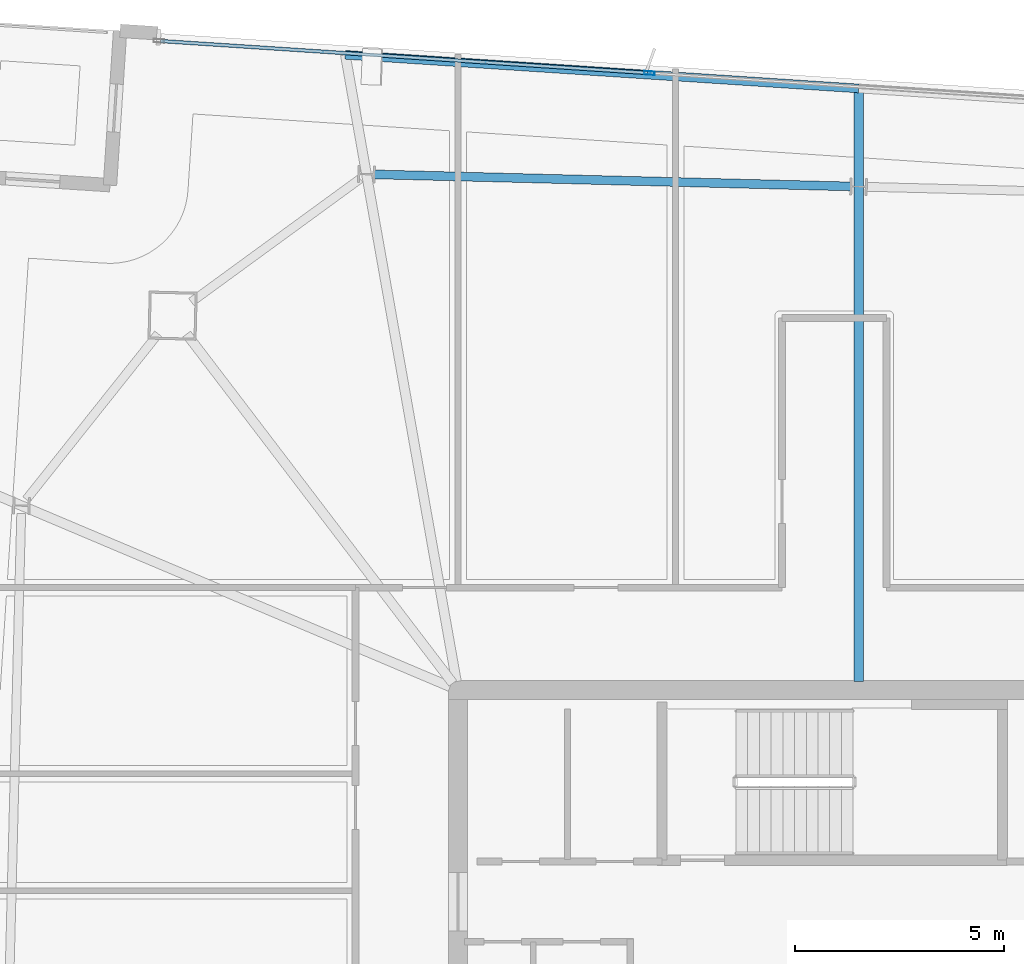
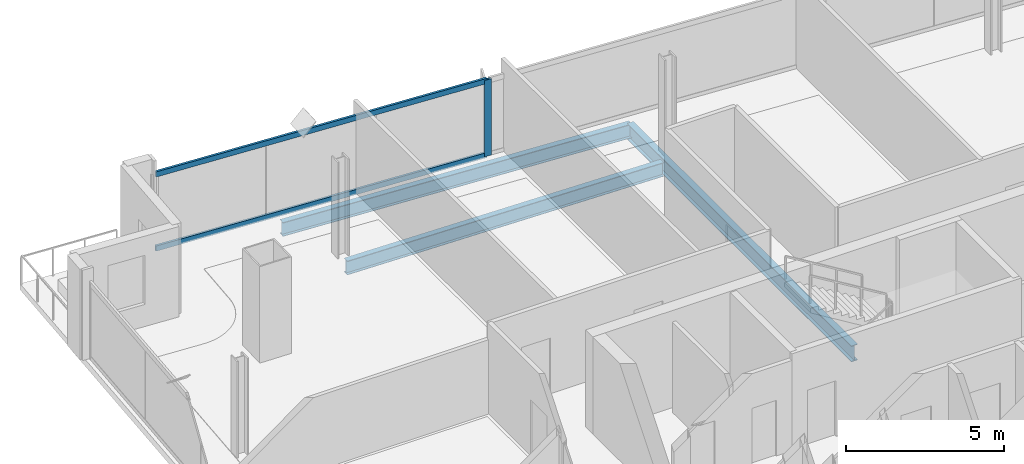
# One storey, part 13 of 24: 3 beams, 3 members, 1 element without a shape of its own.
"""IFC4 building model written with IfcOpenShell, lengths in metres."""

from ifc_helpers import new_model, si_unit, direction, frame, origin, origin_2d, place, context, subcontext, project, spatial, hollow_rectangle, i_section, extrude, material, material_profile, profile_set, type_object, element, aggregate, save


model = new_model("IFC4")

# Units and contexts
model_context = context("Model", 3, precision=1e-05, world=origin(), true_north=direction((0.0, 1.0)))
body_context = subcontext(model_context, "Body", "Model", "MODEL_VIEW")
ifc_project = project(units=[si_unit("LENGTHUNIT", "METRE"), si_unit("AREAUNIT", "SQUARE_METRE"), si_unit("VOLUMEUNIT", "CUBIC_METRE"), si_unit("PLANEANGLEUNIT", "RADIAN"), si_unit("MASSUNIT", "GRAM", prefix="KILO")], contexts=[model_context])

# Site, building, storey
site_placement = place(None, origin())
site = spatial("IfcSite", under=ifc_project, at=site_placement, CompositionType="ELEMENT")
building_placement = place(site_placement, origin())
building = spatial("IfcBuilding", under=site, at=building_placement, Name="Haldenkirk Collegiate Tower", CompositionType="ELEMENT")
storey_placement = place(building_placement, frame((0.0, 0.0, 317.699951171875)))
storey = spatial("IfcBuildingStorey", under=building, at=storey_placement, Name="L80", CompositionType="ELEMENT", Elevation=317.699951171875)

# Beams
ifc_material_1 = material(Name="Steel ASTM A992 Grade 50", Category="steel")
ifc_material_profile_1 = material_profile(ifc_material_1, i_section(OverallWidth=0.22998046875, OverallDepth=0.616943359375, WebThickness=0.01318359375, FlangeThickness=0.022216796875, at=origin_2d()), Name="W24X94")
ifc_profile_set_1 = profile_set([ifc_material_profile_1], Name="Steel ASTM A992 Grade 50")
beam_type_1 = type_object("IfcBeamType", Name="BM-GIRDER-W24X94", PredefinedType="BEAM", material=ifc_profile_set_1)
beam_1_placement = place(storey_placement, frame((36.582275390625, 48.389892578125, -0.568359375), z_axis=(0.0, -1.0, 0.0), x_axis=(1.0, 0.0, 0.0)))
element("IfcBeam", 1, at=beam_1_placement, inside=storey, type_object=beam_type_1, Name="L80 primary floor girder 09", PredefinedType="BEAM", context=body_context, shape_type="SweptSolid", body=[
    extrude(i_section(OverallWidth=0.22998046875, OverallDepth=0.616943359375, WebThickness=0.01318359375, FlangeThickness=0.022216796875, at=origin_2d()), origin(), (0.0, 0.0, 1.0), 14.184814453125),
])
ifc_material_profile_2 = material_profile(ifc_material_1, i_section(OverallWidth=0.2099609375, OverallDepth=0.537109375, WebThickness=0.010986328125, FlangeThickness=0.017333984375, at=origin_2d()), Name="W21X68")
ifc_profile_set_2 = profile_set([ifc_material_profile_2], Name="Steel ASTM A992 Grade 50")
beam_type_2 = type_object("IfcBeamType", Name="BM-SPANDREL-W21X68", PredefinedType="SPANDREL", material=ifc_profile_set_2)
beam_2_placement = place(storey_placement, frame((36.394287109375, 46.04638671875, -0.528564453125), z_axis=(-0.999680042221, 0.02529452876, 0.0), x_axis=(-0.02529452876, -0.999680042221, 0.0)))
element("IfcBeam", 2, at=beam_2_placement, inside=storey, type_object=beam_type_2, Name="L80 perimeter spandrel beam 07", PredefinedType="SPANDREL", context=body_context, shape_type="SweptSolid", body=[
    extrude(i_section(OverallWidth=0.2099609375, OverallDepth=0.537109375, WebThickness=0.010986328125, FlangeThickness=0.017333984375, at=origin_2d()), origin(), (0.0, 0.0, 1.0), 11.39892578125),
])
beam_3_placement = place(storey_placement, frame((36.582275390625, 48.389892578125, -0.528564453125), z_axis=(-0.99785907242, 0.065400853123, 0.0), x_axis=(-0.065400853123, -0.99785907242, 0.0)))
element("IfcBeam", 3, at=beam_3_placement, inside=storey, type_object=beam_type_2, Name="L80 outer facade edge beam 2B", PredefinedType="SPANDREL", context=body_context, shape_type="SweptSolid", body=[
    extrude(i_section(OverallWidth=0.2099609375, OverallDepth=0.537109375, WebThickness=0.010986328125, FlangeThickness=0.017333984375, at=origin_2d()), origin(), (0.0, 0.0, 1.0), 12.303955078125),
])

# Curtain wall, members
ifc_material_2 = material(Name="Anodised architectural bronze aluminium", Category="aluminium")
curtain_wall_type = type_object("IfcCurtainWallType", Name="CW-SYS1B-CONVEX-HI", PredefinedType="USERDEFINED", material=ifc_material_2)
curtain_wall_placement = place(storey_placement, origin())
curtain_wall = element("IfcCurtainWall", 4, at=curtain_wall_placement, inside=storey, type_object=curtain_wall_type, Name="L80 Upper tower high-wind convex bronze unitised curtain wall", ObjectType="UNITISED CURTAIN WALL", PredefinedType="USERDEFINED")
ifc_material_profile_3 = material_profile(ifc_material_2, hollow_rectangle(XDim=0.0849609375, YDim=0.25, WallThickness=0.0048828125, at=origin_2d()), Name="CW-MUL-1B")
ifc_profile_set_3 = profile_set([ifc_material_profile_3], Name="Anodised architectural bronze aluminium")
member_type_1 = type_object("IfcMemberType", Name="CW-MUL-1B", PredefinedType="MULLION", material=ifc_profile_set_3)
member_1_placement = place(storey_placement, frame((31.578857421875, 48.7578125, 0.0), z_axis=(0.0, 0.0, 1.0), x_axis=(0.065401149336, 0.997859053006, 0.0)))
member_1 = element("IfcMember", 5, at=member_1_placement, type_object=member_type_1, Name="CW-1B mullion 2", PredefinedType="MULLION", context=body_context, shape_type="SweptSolid", body=[
    extrude(hollow_rectangle(XDim=0.0849609375, YDim=0.25, WallThickness=0.0048828125, at=origin_2d()), origin(), (0.0, 0.0, 1.0), 2.947998046875),
])
ifc_material_profile_4 = material_profile(ifc_material_2, hollow_rectangle(XDim=0.0849609375, YDim=0.199951171875, WallThickness=0.0048828125, at=origin_2d()), Name="CW-TRN-1B")
ifc_profile_set_4 = profile_set([ifc_material_profile_4], Name="Anodised architectural bronze aluminium")
member_type_2 = type_object("IfcMemberType", Name="CW-TRN-1B", PredefinedType="USERDEFINED", material=ifc_profile_set_4)
member_2_placement = place(storey_placement, frame((19.888916015625, 49.52392578125, 0.04248046875), z_axis=(0.997860305867, -0.065382030982, 0.0), x_axis=(0.065382030982, 0.997860305867, 0.0)))
member_2 = element("IfcMember", 6, at=member_2_placement, type_object=member_type_2, Name="CW-1B transom 1.1", ObjectType="TRANSOM", PredefinedType="USERDEFINED", context=body_context, shape_type="SweptSolid", body=[
    extrude(hollow_rectangle(XDim=0.0849609375, YDim=0.199951171875, WallThickness=0.0048828125, at=origin_2d()), origin(), (0.0, 0.0, 1.0), 11.672607421875),
])
member_3_placement = place(storey_placement, frame((19.888916015625, 49.52392578125, 2.905517578125), z_axis=(0.997860305867, -0.065382030982, 0.0), x_axis=(0.065382030982, 0.997860305867, 0.0)))
member_3 = element("IfcMember", 7, at=member_3_placement, type_object=member_type_2, Name="CW-1B transom 1.2", ObjectType="TRANSOM", PredefinedType="USERDEFINED", context=body_context, shape_type="SweptSolid", body=[
    extrude(hollow_rectangle(XDim=0.0849609375, YDim=0.199951171875, WallThickness=0.0048828125, at=origin_2d()), origin(), (0.0, 0.0, 1.0), 11.672607421875),
])
aggregate(curtain_wall, [member_1, member_2, member_3])

save(model, "model.ifc")
